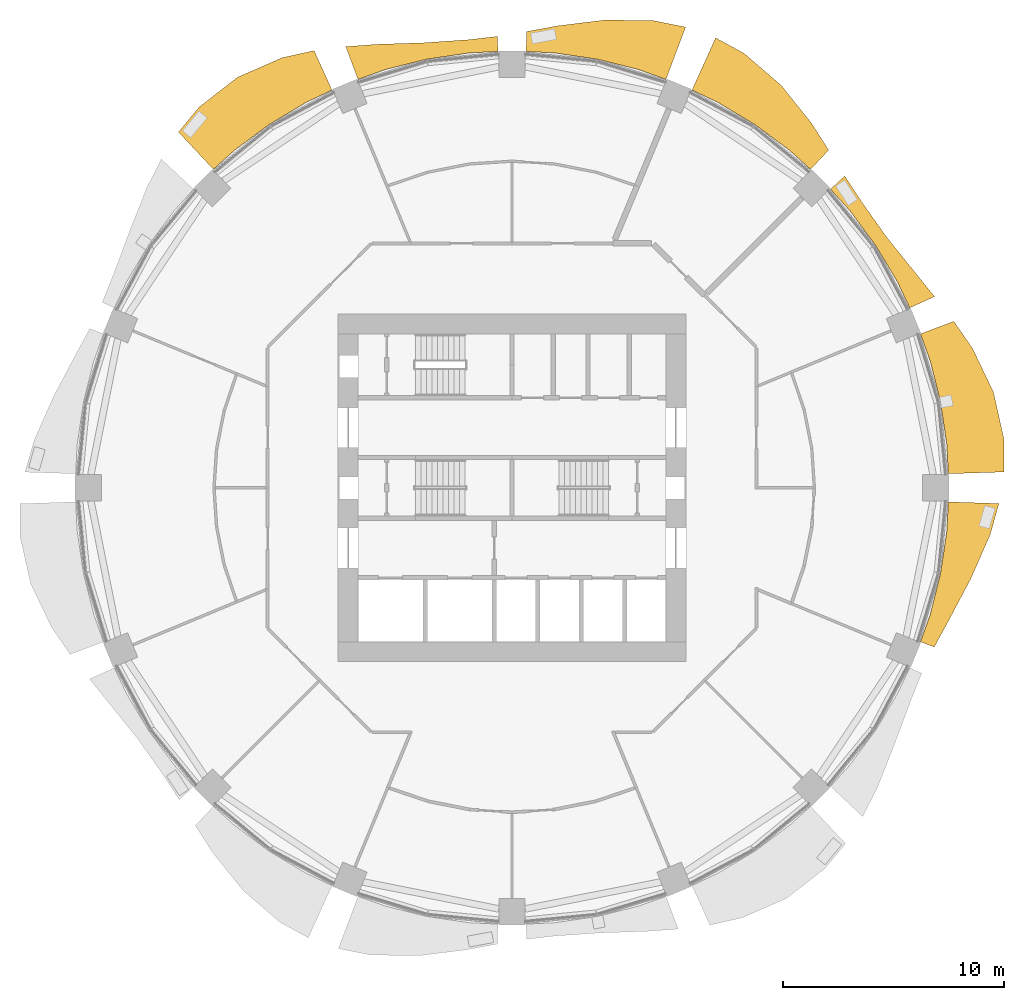
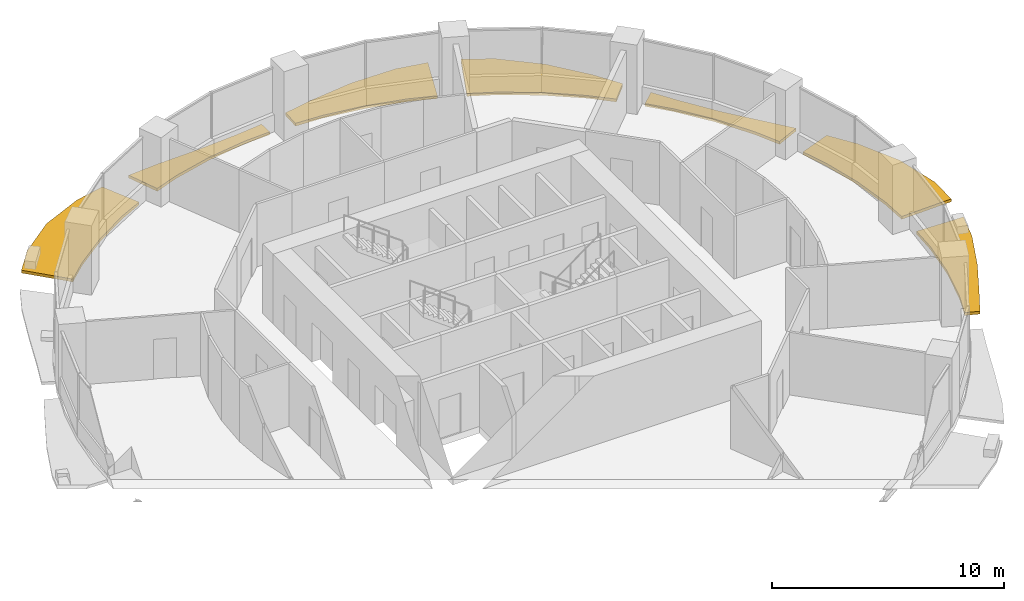
# One storey, part 14 of 15: 7 shading devices.
"""IFC4 building model written with IfcOpenShell, lengths in metres."""

from ifc_helpers import new_model, si_unit, direction, frame, origin, place, context, subcontext, project, spatial, polyline, outline, extrude, material, type_object, element, save


model = new_model("IFC4")

# Units and contexts
model_context = context("Model", 3, precision=1e-05, world=origin(), true_north=direction((0.0, 1.0)))
body_context = subcontext(model_context, "Body", "Model", "MODEL_VIEW")
ifc_project = project(units=[si_unit("LENGTHUNIT", "METRE"), si_unit("AREAUNIT", "SQUARE_METRE"), si_unit("VOLUMEUNIT", "CUBIC_METRE"), si_unit("PLANEANGLEUNIT", "RADIAN"), si_unit("MASSUNIT", "GRAM", prefix="KILO")], contexts=[model_context])

# Site, building, storey
site_placement = place(None, origin())
site = spatial("IfcSite", under=ifc_project, at=site_placement, CompositionType="ELEMENT")
building_placement = place(site_placement, origin())
building = spatial("IfcBuilding", under=site, at=building_placement, Name="Polderwave Tower", CompositionType="ELEMENT")
storey_placement = place(building_placement, frame((0.0, 0.0, 29.85009765625)))
storey = spatial("IfcBuildingStorey", under=building, at=storey_placement, Name="L07", CompositionType="ELEMENT", Elevation=29.85009765625)

# Shading devices
ifc_material = material(Name="Terracotta", Category="masonry")
shading_device_type = type_object("IfcShadingDeviceType", Name="Terracotta sunshade band", PredefinedType="USERDEFINED", material=ifc_material)
shading_device_1_placement = place(storey_placement, frame((0.0, 0.0, -0.35009765625)))
element("IfcShadingDevice", 1, at=shading_device_1_placement, inside=storey, type_object=shading_device_type, Name="Sunshade band L07 1", ObjectType="SUNSHADE", PredefinedType="USERDEFINED", context=body_context, shape_type="SweptSolid", body=[
    extrude(outline(polyline([(19.768798828125, 0.6376953125), (19.70458984375, 1.940673828125), (19.41943359375, 3.86279296875), (18.947509765625, 5.74755859375), (18.5078125, 6.97607421875), (20.018798828125, 7.54541015625), (20.860107421875, 6.327880859375), (21.813720703125, 4.339111328125), (22.2919921875, 2.195556640625), (22.283203125, 0.71875), (19.768798828125, 0.6376953125)])), origin(), (0.0, 0.0, 1.0), 0.14990234375),
])
shading_device_2_placement = place(storey_placement, frame((0.0, 0.0, -0.35009765625)))
element("IfcShadingDevice", 2, at=shading_device_2_placement, inside=storey, type_object=shading_device_type, Name="Sunshade band L07 2", ObjectType="SUNSHADE", PredefinedType="USERDEFINED", context=body_context, shape_type="SweptSolid", body=[
    extrude(outline(polyline([(18.019775390625, 8.154296875), (17.4619140625, 9.333740234375), (16.463134765625, 11.000244140625), (15.3056640625, 12.56103515625), (14.429443359375, 13.527587890625), (15.0732421875, 14.13134765625), (15.8232421875, 12.985595703125), (16.98095703125, 11.34619140625), (18.260498046875, 9.760498046875), (19.146240234375, 8.6640625), (18.019775390625, 8.154296875)])), origin(), (0.0, 0.0, 1.0), 0.14990234375),
])
shading_device_3_placement = place(storey_placement, frame((0.0, 0.0, -0.35009765625)))
element("IfcShadingDevice", 3, at=shading_device_3_placement, inside=storey, type_object=shading_device_type, Name="Sunshade band L07 3", ObjectType="SUNSHADE", PredefinedType="USERDEFINED", context=body_context, shape_type="SweptSolid", body=[
    extrude(outline(polyline([(13.527587890625, 14.429443359375), (12.56103515625, 15.3056640625), (11.000244140625, 16.463134765625), (9.333740234375, 17.4619140625), (8.154296875, 18.019775390625), (9.226318359375, 20.388427734375), (10.520263671875, 19.681884765625), (12.189697265625, 18.2431640625), (13.56494140625, 16.52880859375), (14.347412109375, 15.3037109375), (13.527587890625, 14.429443359375)])), origin(), (0.0, 0.0, 1.0), 0.14990234375),
])
shading_device_4_placement = place(storey_placement, frame((0.0, 0.0, -0.35009765625)))
element("IfcShadingDevice", 4, at=shading_device_4_placement, inside=storey, type_object=shading_device_type, Name="Sunshade band L07 4", ObjectType="SUNSHADE", PredefinedType="USERDEFINED", context=body_context, shape_type="SweptSolid", body=[
    extrude(outline(polyline([(6.97607421875, 18.5078125), (5.74755859375, 18.947509765625), (3.86279296875, 19.41943359375), (1.940673828125, 19.70458984375), (0.6376953125, 19.768798828125), (0.666748046875, 20.671630859375), (2.061767578125, 20.932373046875), (4.21630859375, 21.197021484375), (6.4208984375, 21.1669921875), (7.868896484375, 20.876708984375), (6.97607421875, 18.5078125)])), origin(), (0.0, 0.0, 1.0), 0.14990234375),
])
shading_device_5_placement = place(storey_placement, frame((0.0, 0.0, -0.35009765625)))
element("IfcShadingDevice", 5, at=shading_device_5_placement, inside=storey, type_object=shading_device_type, Name="Sunshade band L07 5", ObjectType="SUNSHADE", PredefinedType="USERDEFINED", context=body_context, shape_type="SweptSolid", body=[
    extrude(outline(polyline([(-0.6376953125, 19.768798828125), (-1.940673828125, 19.70458984375), (-3.86279296875, 19.41943359375), (-5.74755859375, 18.947509765625), (-6.97607421875, 18.5078125), (-7.53515625, 19.9912109375), (-6.09619140625, 20.0966796875), (-4.0107421875, 20.163818359375), (-1.99951171875, 20.302001953125), (-0.659912109375, 20.452392578125), (-0.6376953125, 19.768798828125)])), origin(), (0.0, 0.0, 1.0), 0.14990234375),
])
shading_device_6_placement = place(storey_placement, frame((0.0, 0.0, -0.35009765625)))
element("IfcShadingDevice", 6, at=shading_device_6_placement, inside=storey, type_object=shading_device_type, Name="Sunshade band L07 6", ObjectType="SUNSHADE", PredefinedType="USERDEFINED", context=body_context, shape_type="SweptSolid", body=[
    extrude(outline(polyline([(-8.154296875, 18.019775390625), (-9.333740234375, 17.4619140625), (-11.000244140625, 16.463134765625), (-12.56103515625, 15.3056640625), (-13.527587890625, 14.429443359375), (-15.112548828125, 16.1201171875), (-14.166259765625, 17.26171875), (-12.43212890625, 18.60595703125), (-10.415283203125, 19.485595703125), (-8.9638671875, 19.808837890625), (-8.154296875, 18.019775390625)])), origin(), (0.0, 0.0, 1.0), 0.14990234375),
])
shading_device_7_placement = place(storey_placement, frame((0.0, 0.0, -0.35009765625)))
element("IfcShadingDevice", 7, at=shading_device_7_placement, inside=storey, type_object=shading_device_type, Name="Sunshade band L07 16", ObjectType="SUNSHADE", PredefinedType="USERDEFINED", context=body_context, shape_type="SweptSolid", body=[
    extrude(outline(polyline([(18.5078125, -6.97607421875), (18.947509765625, -5.74755859375), (19.41943359375, -3.86279296875), (19.70458984375, -1.940673828125), (19.768798828125, -0.6376953125), (22.064208984375, -0.711669921875), (21.66162109375, -2.133544921875), (20.780517578125, -4.133544921875), (19.7900390625, -6.00341796875), (19.13330078125, -7.2119140625), (18.5078125, -6.97607421875)])), origin(), (0.0, 0.0, 1.0), 0.14990234375),
])

save(model, "model.ifc")
